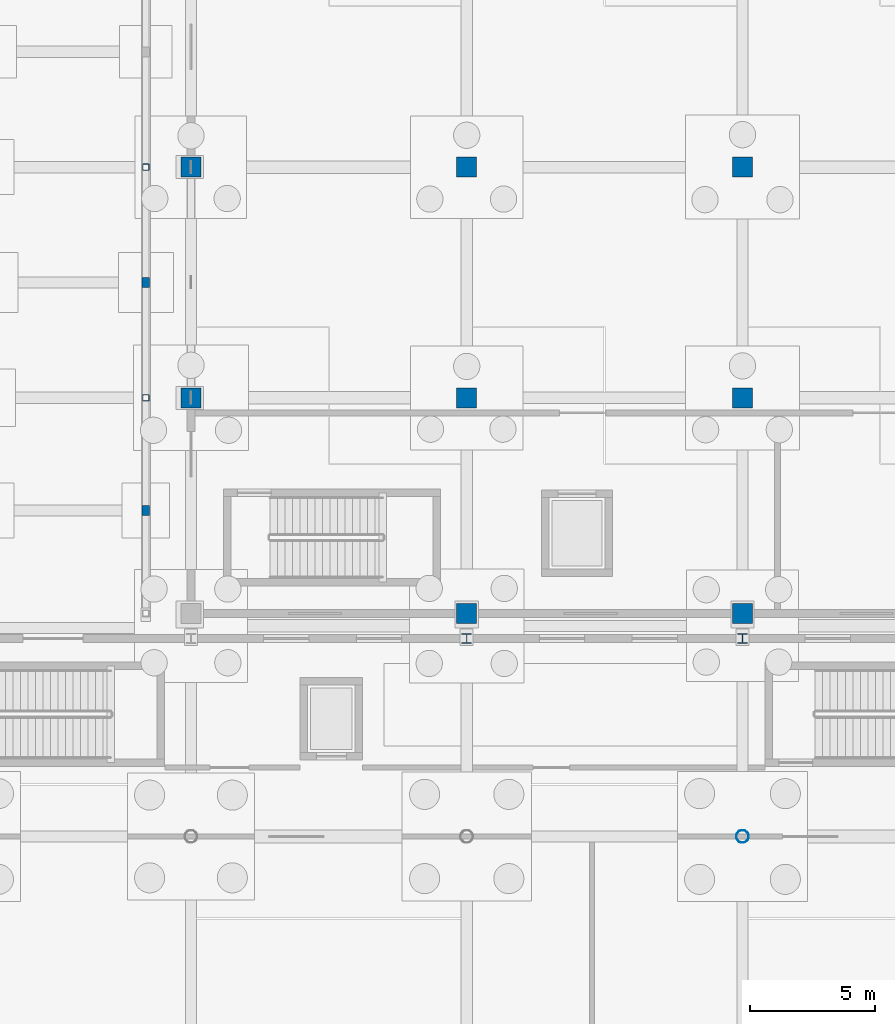
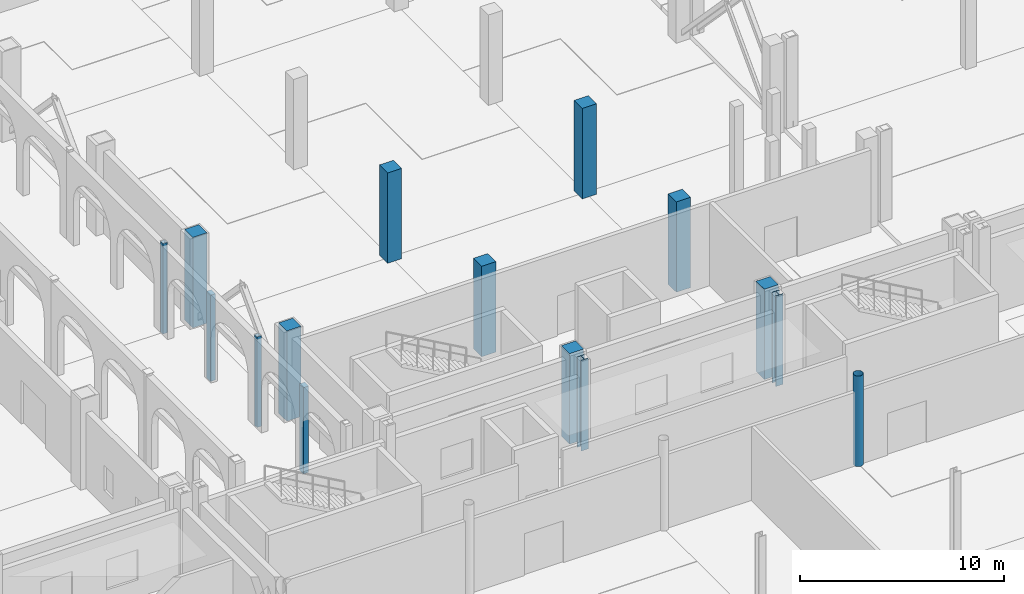
# One storey, part 24 of 83: 15 columns.
"""IFC4 building model written with IfcOpenShell, lengths in metres."""

import ifcopenshell
import ifcopenshell.guid

model = None  # the IFC model being written
_history = None  # IfcOwnerHistory: only IFC2X3 demands one
_inside = {}  # id of a spatial element -> (the spatial element, [elements in it])
_under = {}  # id of a project, library or spatial element -> (it, [spatial elements below it])
_declared = {}  # id of a project -> (the project, [libraries it declares])
_typed = {}  # id of a type object -> (the type object, [elements of that type])
_made_of = {}  # id of a material, layer set ... -> (it, [elements and type objects made of it])


def new_model(schema):
    """Start an empty IFC model of exactly this schema.

    Asked for "IFC4X3", IfcOpenShell would pick the latest addendum, in which some entities
    have other attributes; the version numbers below select the first issue.
    IFC2X3 requires an IfcOwnerHistory on every rooted entity: one is made here for all.
    """
    global model, _history
    if schema == "IFC4X3":
        model = ifcopenshell.file(schema_version=(4, 3, 0, 0))
    else:
        model = ifcopenshell.file(schema=schema)
    _inside.clear()
    _under.clear()
    _declared.clear()
    _typed.clear()
    _made_of.clear()
    _history = None
    if model.schema == "IFC2X3":
        org = make("IfcOrganization", Name="unknown")
        user = make(
            "IfcPersonAndOrganization",
            ThePerson=make("IfcPerson", FamilyName="unknown"),
            TheOrganization=org,
        )
        app = make(
            "IfcApplication",
            ApplicationDeveloper=org,
            Version="unknown",
            ApplicationFullName="unknown",
            ApplicationIdentifier="unknown",
        )
        _history = make(
            "IfcOwnerHistory",
            OwningUser=user,
            OwningApplication=app,
            ChangeAction="ADDED",
            CreationDate=0,
        )
    return model


def make(cls, **values):
    """One entity of the class cls with the attributes given. An attribute that is None is left unset."""
    return model.create_entity(
        cls, **{name: value for name, value in values.items() if value is not None}
    )


def rooted(cls, **values):
    """An entity with a GlobalId (a new one), such as an element, a storey or a relation."""
    return make(cls, GlobalId=ifcopenshell.guid.new(), OwnerHistory=_history, **values)


def si_unit(unit_type, name, prefix=None):
    """IfcSIUnit, for example si_unit("LENGTHUNIT", "METRE", prefix="MILLI")."""
    return make("IfcSIUnit", UnitType=unit_type, Prefix=prefix, Name=name)


def assignment(units):
    """IfcUnitAssignment: the units of a project."""
    return None if units is None else make("IfcUnitAssignment", Units=units)


def point(xyz):
    """IfcCartesianPoint."""
    return None if xyz is None else make("IfcCartesianPoint", Coordinates=xyz)


def direction(xyz):
    """IfcDirection."""
    return None if xyz is None else make("IfcDirection", DirectionRatios=xyz)


def frame(location, z_axis=None, x_axis=None):
    """IfcAxis2Placement3D, a coordinate frame: its origin and axes. An axis left out is left unset."""
    return make(
        "IfcAxis2Placement3D",
        Location=point(location),
        Axis=direction(z_axis),
        RefDirection=direction(x_axis),
    )


def frame_2d(location, x_axis=None):
    """IfcAxis2Placement2D, a coordinate frame in the plane: its origin and x axis."""
    return make(
        "IfcAxis2Placement2D", Location=point(location), RefDirection=direction(x_axis)
    )


def origin():
    """The frame at (0, 0, 0) with its axes left unset."""
    return frame((0.0, 0.0, 0.0))


def origin_2d():
    """The frame at (0, 0) in the plane with its x axis left unset."""
    return frame_2d((0.0, 0.0))


def place(relative_to, where):
    """IfcLocalPlacement: puts the frame where relative to a parent placement (None: the world)."""
    return make(
        "IfcLocalPlacement", PlacementRelTo=relative_to, RelativePlacement=where
    )


def context(
    kind, dimensions, precision=None, world=None, true_north=None, identifier=None
):
    """IfcGeometricRepresentationContext, for example the 3D "Model" context."""
    return make(
        "IfcGeometricRepresentationContext",
        ContextIdentifier=identifier,
        ContextType=kind,
        CoordinateSpaceDimension=dimensions,
        Precision=precision,
        WorldCoordinateSystem=world,
        TrueNorth=true_north,
    )


def subcontext(parent, identifier, kind, view, scale=None):
    """IfcGeometricRepresentationSubContext, for example "Body" below "Model"."""
    return make(
        "IfcGeometricRepresentationSubContext",
        ContextIdentifier=identifier,
        ContextType=kind,
        ParentContext=parent,
        TargetScale=scale,
        TargetView=view,
    )


def project(units=None, contexts=None):
    """IfcProject with its units and contexts."""
    return rooted(
        "IfcProject",
        Name="project",
        RepresentationContexts=contexts,
        UnitsInContext=assignment(units),
    )


def spatial(cls, under=None, at=None, **own):
    """A site, building, storey or space (cls), placed at a placement, below another one or the project."""
    s = rooted(cls, ObjectPlacement=at, **own)
    if under is not None:
        _under.setdefault(under.id(), (under, []))[1].append(s)
    return s


def profile(cls, at=None, kind="AREA", **sizes):
    """A parametric profile (cls). Its sizes go by their IFC names, for example OverallWidth=200.0."""
    return make(cls, ProfileType=kind, Position=at, **sizes)


def rectangle(**sizes):
    """IfcRectangleProfileDef."""
    return profile("IfcRectangleProfileDef", **sizes)


def hollow_rectangle(**sizes):
    """IfcRectangleHollowProfileDef."""
    return profile("IfcRectangleHollowProfileDef", **sizes)


def hollow_circle(**sizes):
    """IfcCircleHollowProfileDef."""
    return profile("IfcCircleHollowProfileDef", **sizes)


def i_section(**sizes):
    """IfcIShapeProfileDef."""
    return profile("IfcIShapeProfileDef", **sizes)


def extrude(swept, where, along, depth):
    """IfcExtrudedAreaSolid: the profile swept, set in the frame where, extruded along a direction by depth."""
    return make(
        "IfcExtrudedAreaSolid",
        SweptArea=swept,
        Position=where,
        ExtrudedDirection=direction(along),
        Depth=depth,
    )


def shape(context_of_items, identifier, shape_type, items):
    """IfcShapeRepresentation: the items that make up one representation, for example the "Body"."""
    return make(
        "IfcShapeRepresentation",
        ContextOfItems=context_of_items,
        RepresentationIdentifier=identifier,
        RepresentationType=shape_type,
        Items=items,
    )


def material(Name=None, Category=None):
    """IfcMaterial."""
    return make("IfcMaterial", Name=Name, Category=Category)


def material_profile(
    of_material, cross_section, Name=None, Category=None, Priority=None
):
    """IfcMaterialProfile: a cross section and its material."""
    return make(
        "IfcMaterialProfile",
        Name=Name,
        Material=of_material,
        Profile=cross_section,
        Priority=Priority,
        Category=Category,
    )


def profile_set(profiles, Name=None, composite=None):
    """IfcMaterialProfileSet."""
    return make(
        "IfcMaterialProfileSet",
        Name=Name,
        MaterialProfiles=profiles,
        CompositeProfile=composite,
    )


def made_of(thing, what):
    """Note that an element or type object is made of a material, layer set ...; save() writes the relation."""
    if what is not None:
        _made_of.setdefault(what.id(), (what, []))[1].append(thing)
    return thing


def type_object(cls, material=None, **own):
    """A type object (cls), such as IfcWallType, which elements share."""
    return made_of(rooted(cls, **own), material)


def element(
    cls,
    number,
    at=None,
    inside=None,
    cuts=None,
    type_object=None,
    material=None,
    context=None,
    identifier="Body",
    shape_type=None,
    held_by="IfcProductDefinitionShape",
    body=None,
    shapes=None,
    **own,
):
    """One element of the class cls, such as IfcWall. Its Tag is "e" and its number.

    at: its placement. inside: the storey or other place that contains it. cuts: it is an
    opening in that element (IfcRelVoidsElement). A single representation is given by context,
    identifier, shape_type and body (its items); several are given by shapes. held_by: the class
    of the entity that holds the representations. save() writes the other relations.
    """
    e = rooted(cls, Tag="e%d" % number, ObjectPlacement=at, **own)
    if body is not None:
        shapes = [shape(context, identifier, shape_type, body)]
    if shapes is not None:
        e.Representation = make(held_by, Representations=shapes)
    if inside is not None:
        _inside.setdefault(inside.id(), (inside, []))[1].append(e)
    if cuts is not None:
        rooted(
            "IfcRelVoidsElement", RelatingBuildingElement=cuts, RelatedOpeningElement=e
        )
    if type_object is not None:
        _typed.setdefault(type_object.id(), (type_object, []))[1].append(e)
    return made_of(e, material)


def aggregate(whole, parts):
    """IfcRelAggregates: a whole, such as a stair, and the parts it consists of."""
    return rooted("IfcRelAggregates", RelatingObject=whole, RelatedObjects=parts)


def save(model, path):
    """Write the relations noted so far, then the file.

    IfcRelAggregates (storeys below a building ...), IfcRelContainedInSpatialStructure (elements
    in a storey), IfcRelDefinesByType, IfcRelAssociatesMaterial and IfcRelDeclares: one each for
    every whole, place, type object, material and project.
    """
    for whole, parts in _under.values():
        aggregate(whole, parts)
    for where, things in _inside.values():
        rooted(
            "IfcRelContainedInSpatialStructure",
            RelatedElements=things,
            RelatingStructure=where,
        )
    for kind, things in _typed.values():
        rooted("IfcRelDefinesByType", RelatedObjects=things, RelatingType=kind)
    for what, things in _made_of.values():
        rooted("IfcRelAssociatesMaterial", RelatedObjects=things, RelatingMaterial=what)
    for by, libraries in _declared.values():
        rooted("IfcRelDeclares", RelatingContext=by, RelatedDefinitions=libraries)
    model.write(path)


model = new_model("IFC4")

# Units and contexts
model_context = context("Model", 3, precision=1e-05, world=origin(), true_north=direction((0.0, 1.0)))
body_context = subcontext(model_context, "Body", "Model", "MODEL_VIEW")
ifc_project = project(units=[si_unit("LENGTHUNIT", "METRE"), si_unit("AREAUNIT", "SQUARE_METRE"), si_unit("VOLUMEUNIT", "CUBIC_METRE"), si_unit("PLANEANGLEUNIT", "RADIAN"), si_unit("MASSUNIT", "GRAM", prefix="KILO")], contexts=[model_context])

# Site, building, storey
site_placement = place(None, origin())
site = spatial("IfcSite", under=ifc_project, at=site_placement, CompositionType="ELEMENT")
building_placement = place(site_placement, origin())
building = spatial("IfcBuilding", under=site, at=building_placement, Name="Caurita Quay Ferry Terminal", CompositionType="ELEMENT")
storey_placement = place(building_placement, origin())
storey = spatial("IfcBuildingStorey", under=building, at=storey_placement, Name="L00", CompositionType="ELEMENT", Elevation=0.0)

# Columns
ifc_material_1 = material(Name="Hollow structural steel ASTM A500 Gr. C", Category="steel")
ifc_material_profile_1 = material_profile(ifc_material_1, hollow_rectangle(XDim=0.25390625, YDim=0.25390625, WallThickness=0.01171875, InnerFilletRadius=0.01171875, OuterFilletRadius=0.023681640625, at=origin_2d()), Name="HSS10X10X1/2")
ifc_profile_set_1 = profile_set([ifc_material_profile_1], Name="Hollow structural steel ASTM A500 Gr. C")
column_type_1 = type_object("IfcColumnType", Name="COL-HSS-03", PredefinedType="COLUMN", material=ifc_profile_set_1)
for number, where, z_axis, x_axis, name in (
    (1, (97.39990234375, 80.199951171875, 0.0), (0.0, 0.0, 1.0), (1.0, 0.0, 0.0), "L00 Column V6-E-M"),
    (2, (97.39990234375, 89.39990234375, 0.0), (0.0, 0.0, 1.0), (1.0, 0.0, 0.0), "L00 Column V6-E-N"),
):
    element("IfcColumn", number, at=place(storey_placement, frame(where, z_axis=z_axis, x_axis=x_axis)), inside=storey, type_object=column_type_1, Name=name, PredefinedType="COLUMN", context=body_context, shape_type="SweptSolid", body=[
        extrude(hollow_rectangle(XDim=0.25390625, YDim=0.25390625, WallThickness=0.01171875, InnerFilletRadius=0.01171875, OuterFilletRadius=0.023681640625, at=origin_2d()), origin(), (0.0, 0.0, 1.0), 5.39990234375),
    ])
ifc_material_profile_2 = material_profile(ifc_material_1, hollow_circle(Radius=0.25390625, WallThickness=0.01171875, at=origin_2d()), Name="HSS20.000X0.500")
ifc_profile_set_2 = profile_set([ifc_material_profile_2], Name="Hollow structural steel ASTM A500 Gr. C")
column_type_2 = type_object("IfcColumnType", Name="COL-MST-01", PredefinedType="COLUMN", material=ifc_profile_set_2)
column_placement = place(storey_placement, frame((121.199951171875, 62.699951171875, 0.0), z_axis=(0.0, 0.0, 1.0), x_axis=(1.0, 0.0, 0.0)))
element("IfcColumn", 3, at=column_placement, inside=storey, type_object=column_type_2, Name="L00 Column V2-MST-13-N", PredefinedType="COLUMN", context=body_context, shape_type="SweptSolid", body=[
    extrude(hollow_circle(Radius=0.25390625, WallThickness=0.01171875, at=origin_2d()), origin(), (0.0, 0.0, 1.0), 5.39990234375),
])
ifc_material_2 = material(Name="Marine reinforced concrete C40/50", Category="concrete")
ifc_material_profile_3 = material_profile(ifc_material_2, rectangle(XDim=0.800048828125, YDim=0.800048828125, at=origin_2d()), Name="RC-COL-800X800")
ifc_profile_set_3 = profile_set([ifc_material_profile_3], Name="Marine reinforced concrete C40/50")
column_type_3 = type_object("IfcColumnType", Name="COL-RC-800", PredefinedType="COLUMN", material=ifc_profile_set_3)
for number, where, z_axis, x_axis, name in (
    (4, (99.199951171875, 80.199951171875, 0.0), (0.0, 0.0, 1.0), (1.0, 0.0, 0.0), "L00 Column V4-11-M"),
    (5, (99.199951171875, 89.39990234375, 0.0), (0.0, 0.0, 1.0), (1.0, 0.0, 0.0), "L00 Column V4-11-N"),
    (6, (110.199951171875, 71.60009765625, 0.0), (0.0, 0.0, 1.0), (1.0, 0.0, 0.0), "L00 Column V4-12-L"),
    (7, (110.199951171875, 80.199951171875, 0.0), (0.0, 0.0, 1.0), (1.0, 0.0, 0.0), "L00 Column V4-12-M"),
    (8, (110.199951171875, 89.39990234375, 0.0), (0.0, 0.0, 1.0), (1.0, 0.0, 0.0), "L00 Column V4-12-N"),
    (9, (121.199951171875, 71.60009765625, 0.0), (0.0, 0.0, 1.0), (1.0, 0.0, 0.0), "L00 Column V4-13-L"),
    (10, (121.199951171875, 80.199951171875, 0.0), (0.0, 0.0, 1.0), (1.0, 0.0, 0.0), "L00 Column V4-13-M"),
    (11, (121.199951171875, 89.39990234375, 0.0), (0.0, 0.0, 1.0), (1.0, 0.0, 0.0), "L00 Column V4-13-N"),
):
    element("IfcColumn", number, at=place(storey_placement, frame(where, z_axis=z_axis, x_axis=x_axis)), inside=storey, type_object=column_type_3, Name=name, PredefinedType="COLUMN", context=body_context, shape_type="SweptSolid", body=[
        extrude(rectangle(XDim=0.800048828125, YDim=0.800048828125, at=origin_2d()), origin(), (0.0, 0.0, 1.0), 5.39990234375),
    ])
ifc_material_3 = material(Name="Structural steel ASTM A992 Gr. 50", Category="steel")
ifc_material_profile_4 = material_profile(ifc_material_3, i_section(OverallWidth=0.398681640625, OverallDepth=0.393798828125, WebThickness=0.022705078125, FlangeThickness=0.03662109375, FilletRadius=0.017822265625, at=origin_2d()), Name="W14X193")
ifc_profile_set_4 = profile_set([ifc_material_profile_4], Name="Structural steel ASTM A992 Gr. 50")
column_type_4 = type_object("IfcColumnType", Name="COL-STL-04", PredefinedType="COLUMN", material=ifc_profile_set_4)
for number, where, z_axis, x_axis, name in (
    (12, (110.199951171875, 70.60009765625, 0.0), (0.0, 0.0, 1.0), (1.0, 0.0, 0.0), "L00 Column V2-NTH-12-K"),
    (13, (121.199951171875, 70.60009765625, 0.0), (0.0, 0.0, 1.0), (1.0, 0.0, 0.0), "L00 Column V2-NTH-13-K"),
):
    element("IfcColumn", number, at=place(storey_placement, frame(where, z_axis=z_axis, x_axis=x_axis)), inside=storey, type_object=column_type_4, Name=name, PredefinedType="COLUMN", context=body_context, shape_type="SweptSolid", body=[
        extrude(i_section(OverallWidth=0.398681640625, OverallDepth=0.393798828125, WebThickness=0.022705078125, FlangeThickness=0.03662109375, FilletRadius=0.017822265625, at=origin_2d()), origin(), (0.0, 0.0, 1.0), 5.39990234375),
    ])
ifc_material_4 = material(Name="Reinforced concrete C35/45", Category="concrete")
ifc_material_profile_5 = material_profile(ifc_material_4, rectangle(XDim=0.300048828125, YDim=0.39990234375, at=origin_2d()), Name="RC-PIL-400X300")
ifc_profile_set_5 = profile_set([ifc_material_profile_5], Name="Reinforced concrete C35/45")
column_type_5 = type_object("IfcColumnType", Name="PIL-RC-4030", PredefinedType="PILASTER", material=ifc_profile_set_5)
for number, where, z_axis, x_axis, name in (
    (14, (97.39990234375, 75.699951171875, 0.0), (0.0, 0.0, 1.0), (1.0, 0.0, 0.0), "L00 Portico Arcade Pilaster PIL-05"),
    (15, (97.39990234375, 84.800048828125, 0.0), (0.0, 0.0, 1.0), (1.0, 0.0, 0.0), "L00 Portico Arcade Pilaster PIL-06"),
):
    element("IfcColumn", number, at=place(storey_placement, frame(where, z_axis=z_axis, x_axis=x_axis)), inside=storey, type_object=column_type_5, Name=name, PredefinedType="PILASTER", context=body_context, shape_type="SweptSolid", body=[
        extrude(rectangle(XDim=0.300048828125, YDim=0.39990234375, at=origin_2d()), origin(), (0.0, 0.0, 1.0), 5.14990234375),
    ])

save(model, "model.ifc")
